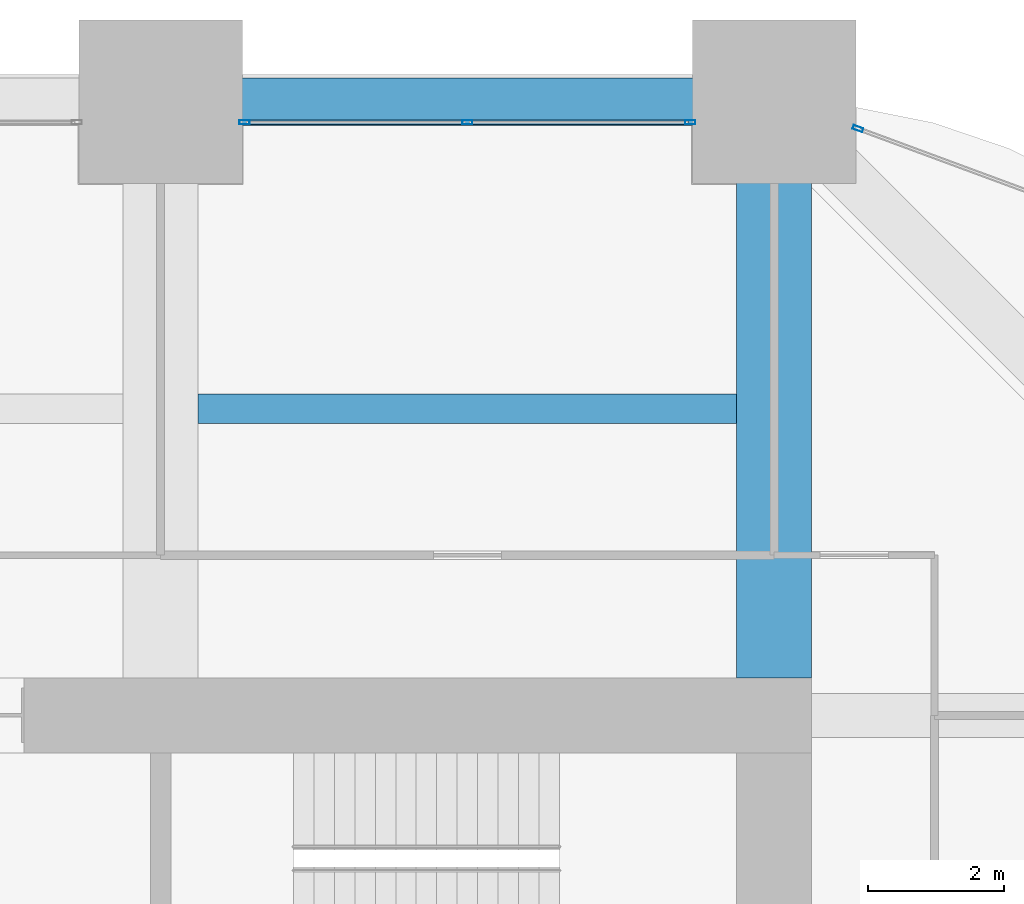
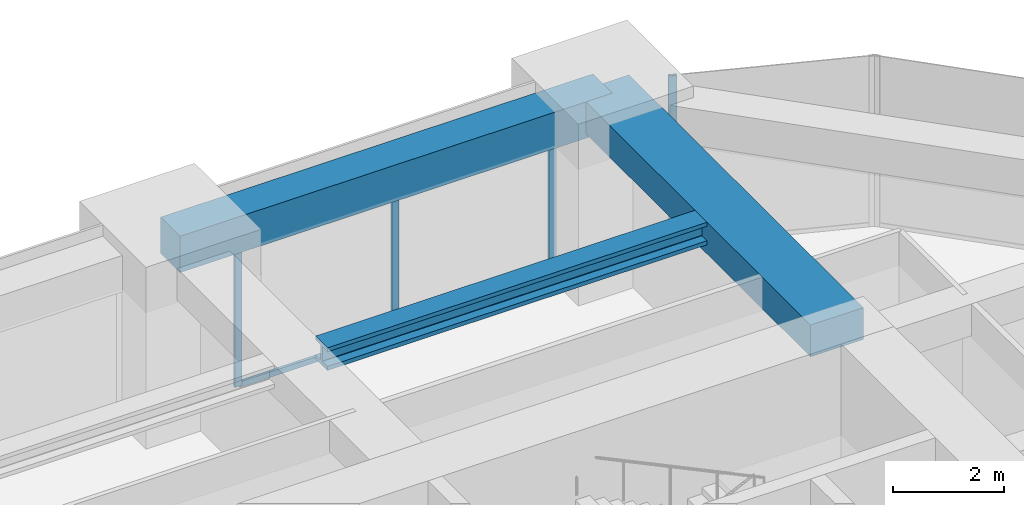
# One storey, part 26 of 32: 5 members, 3 beams, 2 elements without a shape of their own.
"""IFC4 building model written with IfcOpenShell, lengths in metres."""

from ifc_helpers import new_model, si_unit, direction, frame, origin, origin_2d, place, context, subcontext, project, spatial, rectangle, hollow_rectangle, i_section, extrude, material, material_profile, profile_set, type_object, element, aggregate, save


model = new_model("IFC4")

# Units and contexts
model_context = context("Model", 3, precision=1e-05, world=origin(), true_north=direction((0.0, 1.0)))
body_context = subcontext(model_context, "Body", "Model", "MODEL_VIEW")
ifc_project = project(units=[si_unit("LENGTHUNIT", "METRE"), si_unit("AREAUNIT", "SQUARE_METRE"), si_unit("VOLUMEUNIT", "CUBIC_METRE"), si_unit("PLANEANGLEUNIT", "RADIAN"), si_unit("MASSUNIT", "GRAM", prefix="KILO")], contexts=[model_context])

# Site, building, storey
site_placement = place(None, origin())
site = spatial("IfcSite", under=ifc_project, at=site_placement, CompositionType="ELEMENT")
building_placement = place(site_placement, origin())
building = spatial("IfcBuilding", under=site, at=building_placement, Name="Zorevar Civic Tower", CompositionType="ELEMENT")
storey_placement = place(building_placement, frame((0.0, 0.0, 186.199951171875)))
storey = spatial("IfcBuildingStorey", under=building, at=storey_placement, Name="L45", CompositionType="ELEMENT", Elevation=186.199951171875)

# Beam
ifc_material_1 = material(Name="Concrete C50/60", Category="concrete")
ifc_material_profile_1 = material_profile(ifc_material_1, rectangle(XDim=1.10009765625, YDim=0.699951171875, at=origin_2d()), Name="RC 1100x700")
ifc_profile_set_1 = profile_set([ifc_material_profile_1], Name="Concrete C50/60")
beam_type_1 = type_object("IfcBeamType", Name="Beam RC 1100x700", PredefinedType="BEAM", material=ifc_profile_set_1)
beam_1_placement = place(storey_placement, frame((45.0, 36.550048828125, 3.400146484375), z_axis=(0.0, 1.0, 0.0), x_axis=(-1.0, 0.0, 0.0)))
element("IfcBeam", 1, at=beam_1_placement, inside=storey, type_object=beam_type_1, Name="Girder L46", PredefinedType="BEAM", context=body_context, shape_type="SweptSolid", body=[
    extrude(rectangle(XDim=1.10009765625, YDim=0.699951171875, at=origin_2d()), origin(), (0.0, 0.0, 1.0), 8.449951171875),
])

# Curtain wall, members
ifc_material_2 = material(Name="Dark grey solar-control glass in black aluminium frame", Category="aluminium")
curtain_wall_type = type_object("IfcCurtainWallType", Name="Curtain wall CW4 high zone", PredefinedType="NOTDEFINED", material=ifc_material_2)
curtain_wall_1_placement = place(storey_placement, origin())
curtain_wall_1 = element("IfcCurtainWall", 2, at=curtain_wall_1_placement, inside=storey, type_object=curtain_wall_type, Name="CW4 L45", PredefinedType="NOTDEFINED")
ifc_material_3 = material(Name="Aluminium, black anodised", Category="aluminium")
ifc_material_profile_2 = material_profile(ifc_material_3, hollow_rectangle(XDim=0.06005859375, YDim=0.14990234375, WallThickness=0.00390625, at=origin_2d()), Name="AL 150x60x4")
ifc_profile_set_2 = profile_set([ifc_material_profile_2], Name="Aluminium, black anodised")
member_type_1 = type_object("IfcMemberType", Name="CW4 mullion AL 150x60x4", PredefinedType="MULLION", material=ifc_profile_set_2)
member_1_placement = place(storey_placement, frame((37.22998046875, 44.699951171875, 0.0), z_axis=(0.0, 0.0, 1.0), x_axis=(0.0, 1.0, 0.0)))
member_1 = element("IfcMember", 3, at=member_1_placement, type_object=member_type_1, Name="CW4 mullion 1", PredefinedType="MULLION", context=body_context, shape_type="SweptSolid", body=[
    extrude(hollow_rectangle(XDim=0.06005859375, YDim=0.14990234375, WallThickness=0.00390625, at=origin_2d()), origin(), (0.0, 0.0, 1.0), 2.949951171875),
])
member_2_placement = place(storey_placement, frame((40.5, 44.699951171875, 0.06005859375), z_axis=(0.0, 0.0, 1.0), x_axis=(0.0, 1.0, 0.0)))
member_2 = element("IfcMember", 4, at=member_2_placement, type_object=member_type_1, Name="CW4 mullion 2", PredefinedType="MULLION", context=body_context, shape_type="SweptSolid", body=[
    extrude(hollow_rectangle(XDim=0.06005859375, YDim=0.14990234375, WallThickness=0.00390625, at=origin_2d()), origin(), (0.0, 0.0, 1.0), 2.889892578125),
])
member_3_placement = place(storey_placement, frame((43.77001953125, 44.699951171875, 0.0), z_axis=(0.0, 0.0, 1.0), x_axis=(0.0, 1.0, 0.0)))
member_3 = element("IfcMember", 5, at=member_3_placement, type_object=member_type_1, Name="CW4 mullion 3", PredefinedType="MULLION", context=body_context, shape_type="SweptSolid", body=[
    extrude(hollow_rectangle(XDim=0.06005859375, YDim=0.14990234375, WallThickness=0.00390625, at=origin_2d()), origin(), (0.0, 0.0, 1.0), 2.949951171875),
])

# Curtain wall, member
curtain_wall_2_placement = place(storey_placement, origin())
curtain_wall_2 = element("IfcCurtainWall", 6, at=curtain_wall_2_placement, inside=storey, type_object=curtain_wall_type, Name="CW4 L45", PredefinedType="NOTDEFINED")
member_4_placement = place(storey_placement, frame((46.22802734375, 44.6064453125, 0.0), z_axis=(0.0, 0.0, 1.0), x_axis=(-0.346704012033, -0.937974588163, 0.0)))
member_4 = element("IfcMember", 7, at=member_4_placement, type_object=member_type_1, Name="CW4 mullion 2", PredefinedType="MULLION", context=body_context, shape_type="SweptSolid", body=[
    extrude(hollow_rectangle(XDim=0.06005859375, YDim=0.14990234375, WallThickness=0.00390625, at=origin_2d()), origin(), (0.0, 0.0, 1.0), 3.75),
])
aggregate(curtain_wall_2, [member_4])

# Member
ifc_material_4 = material(Name="Aluminium, black anodised", Category="aluminium")
ifc_material_profile_3 = material_profile(ifc_material_4, hollow_rectangle(XDim=0.06005859375, YDim=0.1201171875, WallThickness=0.0029296875, at=origin_2d()), Name="AL 120x60x3")
ifc_profile_set_3 = profile_set([ifc_material_profile_3], Name="Aluminium, black anodised")
member_type_2 = type_object("IfcMemberType", Name="CW4 transom AL 120x60x3", PredefinedType="USERDEFINED", material=ifc_profile_set_3)
member_5_placement = place(storey_placement, frame((37.260009765625, 44.699951171875, 0.030029296875), z_axis=(1.0, 0.0, 0.0), x_axis=(0.0, 1.0, 0.0)))
member_5 = element("IfcMember", 8, at=member_5_placement, type_object=member_type_2, Name="CW4 sill transom", ObjectType="TRANSOM", PredefinedType="USERDEFINED", context=body_context, shape_type="SweptSolid", body=[
    extrude(hollow_rectangle(XDim=0.06005859375, YDim=0.1201171875, WallThickness=0.0029296875, at=origin_2d()), origin(), (0.0, 0.0, 1.0), 6.47998046875),
])

aggregate(curtain_wall_1, [member_1, member_2, member_3, member_5])

# Beams
ifc_material_5 = material(Name="Steel S460M (HISTAR 460)", Category="steel")
ifc_material_profile_4 = material_profile(ifc_material_5, i_section(OverallWidth=0.431884765625, OverallDepth=0.498046875, WebThickness=0.0556640625, FlangeThickness=0.0888671875, FilletRadius=0.014892578125, at=origin_2d()), Name="HD 400x744")
ifc_profile_set_4 = profile_set([ifc_material_profile_4], Name="Steel S460M (HISTAR 460)")
beam_type_2 = type_object("IfcBeamType", Name="Core bay beam HD 400x744", PredefinedType="BEAM", material=ifc_profile_set_4)
beam_2_placement = place(storey_placement, frame((36.550048828125, 40.5, 3.5009765625), z_axis=(1.0, 0.0, 0.0), x_axis=(0.0, 1.0, 0.0)))
element("IfcBeam", 9, at=beam_2_placement, inside=storey, type_object=beam_type_2, Name="Secondary beam L46", PredefinedType="BEAM", context=body_context, shape_type="SweptSolid", body=[
    extrude(i_section(OverallWidth=0.431884765625, OverallDepth=0.498046875, WebThickness=0.0556640625, FlangeThickness=0.0888671875, FilletRadius=0.014892578125, at=origin_2d()), origin(), (0.0, 0.0, 1.0), 7.89990234375),
])
ifc_material_6 = material(Name="Concrete C50/60", Category="concrete")
ifc_material_profile_5 = material_profile(ifc_material_6, rectangle(XDim=0.699951171875, YDim=0.800048828125, at=origin_2d()), Name="RC 700x800")
ifc_profile_set_5 = profile_set([ifc_material_profile_5], Name="Concrete C50/60")
beam_type_3 = type_object("IfcBeamType", Name="Edge beam RC 700x800", PredefinedType="SPANDREL", material=ifc_profile_set_5)
beam_3_placement = place(storey_placement, frame((36.0, 45.0, 3.35009765625), z_axis=(1.0, 0.0, 0.0), x_axis=(0.0, 1.0, 0.0)))
element("IfcBeam", 10, at=beam_3_placement, inside=storey, type_object=beam_type_3, Name="Edge beam L46", PredefinedType="SPANDREL", context=body_context, shape_type="SweptSolid", body=[
    extrude(rectangle(XDim=0.699951171875, YDim=0.800048828125, at=origin_2d()), origin(), (0.0, 0.0, 1.0), 9.0),
])

save(model, "model.ifc")
